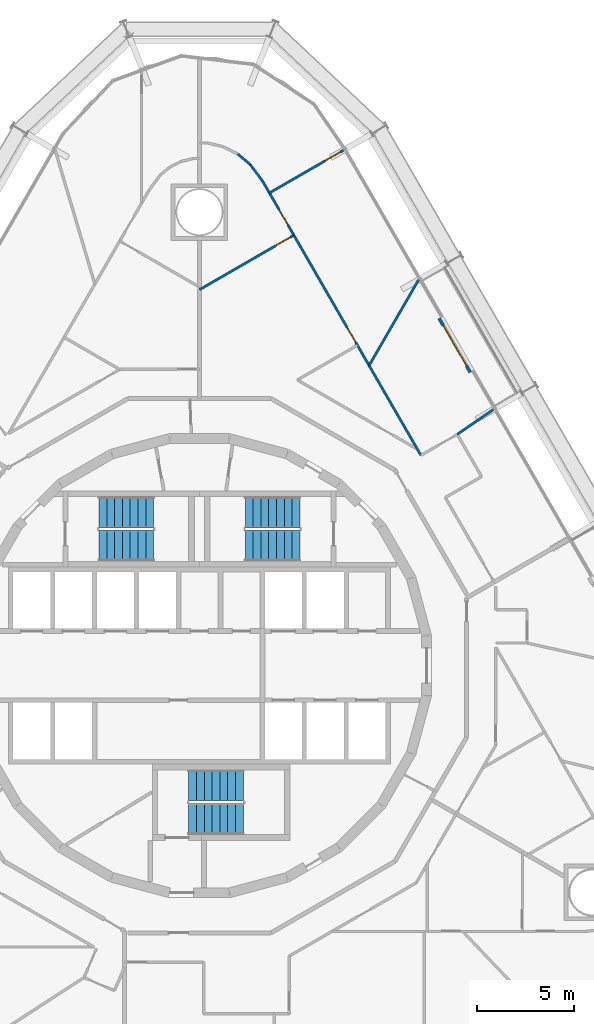
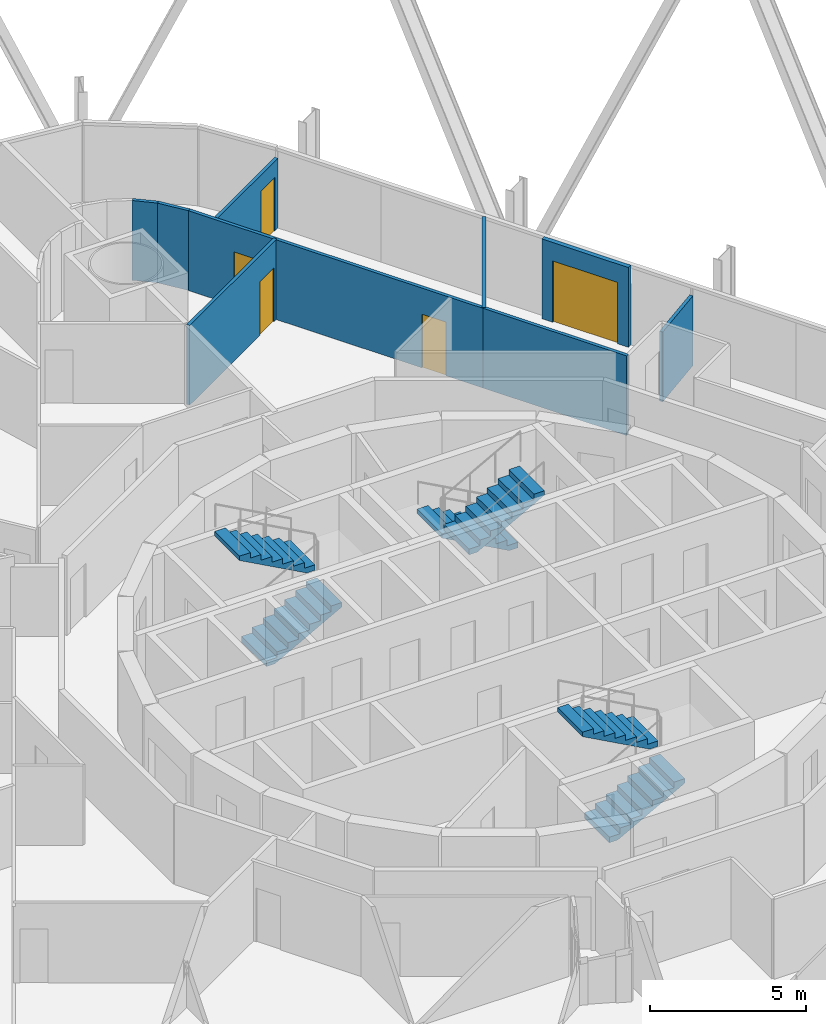
# One storey, part 21 of 22: 9 walls, 6 stair flights, 5 doors, 5 openings, 3 elements without a shape of their own.
"""IFC4 building model written with IfcOpenShell, lengths in metres."""

from ifc_helpers import new_model, si_unit, direction, frame, frame_2d, origin, place, context, subcontext, project, spatial, polyline, rectangle, outline, extrude, material, layer, layer_set, type_object, element, fill, aggregate, save


model = new_model("IFC4")

# Units and contexts
model_context = context("Model", 3, precision=1e-05, world=origin(), true_north=direction((0.0, 1.0)))
body_context = subcontext(model_context, "Body", "Model", "MODEL_VIEW")
ifc_project = project(units=[si_unit("LENGTHUNIT", "METRE"), si_unit("AREAUNIT", "SQUARE_METRE"), si_unit("VOLUMEUNIT", "CUBIC_METRE"), si_unit("PLANEANGLEUNIT", "RADIAN"), si_unit("MASSUNIT", "GRAM", prefix="KILO")], contexts=[model_context])

# Site, building, storey
site_placement = place(None, origin())
site = spatial("IfcSite", under=ifc_project, at=site_placement, CompositionType="ELEMENT")
building_placement = place(site_placement, origin())
building = spatial("IfcBuilding", under=site, at=building_placement, Name="Spindle Arch Residences", CompositionType="ELEMENT")
storey_placement = place(building_placement, frame((0.0, 0.0, 52.39990234375)))
storey = spatial("IfcBuildingStorey", under=building, at=storey_placement, Name="L11", CompositionType="ELEMENT", Elevation=52.39990234375)

# Wall, openings, doors
ifc_material_1 = material(Name="Plasterboard on steel studs", Category="steel")
ifc_layer_1 = layer(ifc_material_1, 0.1201171875)
ifc_layer_set_1 = layer_set([ifc_layer_1], Name="Flat partition 120")
wall_type_1 = type_object("IfcWallType", Name="Flat partition 120", PredefinedType="PARTITIONING", material=ifc_layer_set_1)
wall_1_placement = place(storey_placement, frame((8.69970703125, 15.3916015625, 0.0), z_axis=(0.0, 0.0, 1.0), x_axis=(-0.500002742713, 0.866023820272, 0.0)))
wall_1 = element("IfcWall", 1, at=wall_1_placement, inside=storey, type_object=wall_type_1, Name="Flat partition R1B0-W035", PredefinedType="PARTITIONING", context=body_context, shape_type="SweptSolid", body=[
    extrude(rectangle(XDim=10.90771484375, YDim=0.1201171875, at=frame_2d((5.453857421875, 0.0))), origin(), (0.0, 0.0, 1.0), 3.1201171875),
])
opening_1_placement = place(wall_1_placement, frame((1.360107421875, 0.0, 0.0)))
opening_1 = element("IfcOpeningElement", 2, at=opening_1_placement, cuts=wall_1, Name="Opening R1B0-ID03", PredefinedType="OPENING", context=body_context, shape_type="SweptSolid", body=[
    extrude(rectangle(XDim=0.89990234375, YDim=2.10009765625, at=frame_2d((0.449951171875, 1.050048828125))), frame((0.0, 0.070068359375, 0.0), z_axis=(0.0, -1.0, 0.0), x_axis=(1.0, 0.0, 0.0)), (0.0, 0.0, 1.0), 0.14013671875),
])
opening_2_placement = place(wall_1_placement, frame((8.3173828125, 0.0, 0.0)))
opening_2 = element("IfcOpeningElement", 3, at=opening_2_placement, cuts=wall_1, Name="Opening R1B0-ID06", PredefinedType="OPENING", context=body_context, shape_type="SweptSolid", body=[
    extrude(rectangle(XDim=0.89990234375, YDim=2.10009765625, at=frame_2d((0.449951171875, 1.050048828125))), frame((0.0, 0.070068359375, 0.0), z_axis=(0.0, -1.0, 0.0), x_axis=(1.0, 0.0, 0.0)), (0.0, 0.0, 1.0), 0.14013671875),
])
ifc_material_2 = material(Name="Timber door set", Category="wood")
door_type_1 = type_object("IfcDoorType", Name="Room door 900x2100", OperationType="NOTDEFINED", PredefinedType="DOOR", material=ifc_material_2)
door_1_placement = place(opening_1_placement, origin())
door_1 = element("IfcDoor", 4, at=door_1_placement, inside=storey, type_object=door_type_1, Name="Room door R1B0-ID03", OperationType="SINGLE_SWING_RIGHT", OverallHeight=2.10009765625, OverallWidth=0.89990234375, PredefinedType="DOOR", context=body_context, shape_type="SweptSolid", body=[
    extrude(rectangle(XDim=0.89990234375, YDim=2.10009765625, at=frame_2d((0.449951171875, 1.050048828125))), frame((0.0, 0.02490234375, 0.0), z_axis=(0.0, -1.0, 0.0), x_axis=(1.0, 0.0, 0.0)), (0.0, 0.0, 1.0), 0.050048828125),
])
fill(opening_1, door_1)
door_2_placement = place(opening_2_placement, origin())
door_2 = element("IfcDoor", 5, at=door_2_placement, inside=storey, type_object=door_type_1, Name="Room door R1B0-ID06", OperationType="SINGLE_SWING_LEFT", OverallHeight=2.10009765625, OverallWidth=0.89990234375, PredefinedType="DOOR", context=body_context, shape_type="SweptSolid", body=[
    extrude(rectangle(XDim=0.89990234375, YDim=2.10009765625, at=frame_2d((0.449951171875, 1.050048828125))), frame((0.0, 0.02490234375, 0.0), z_axis=(0.0, -1.0, 0.0), x_axis=(1.0, 0.0, 0.0)), (0.0, 0.0, 1.0), 0.050048828125),
])
fill(opening_2, door_2)

# Wall, opening, door
wall_2_placement = place(storey_placement, frame((4.8408203125, 22.0751953125, 0.0), z_axis=(0.0, 0.0, 1.0), x_axis=(-0.866019751484, -0.500009789943, 0.0)))
wall_2 = element("IfcWall", 6, at=wall_2_placement, inside=storey, type_object=wall_type_1, Name="Flat partition R1B0-W036", PredefinedType="PARTITIONING", context=body_context, shape_type="SweptSolid", body=[
    extrude(rectangle(XDim=5.58984375, YDim=0.1201171875, at=frame_2d((2.794921875, 0.0))), origin(), (0.0, 0.0, 1.0), 3.1201171875),
])
opening_3_placement = place(wall_2_placement, frame((0.199951171875, 0.0, 0.0)))
opening_3 = element("IfcOpeningElement", 7, at=opening_3_placement, cuts=wall_2, Name="Opening R1B0-ID04", PredefinedType="OPENING", context=body_context, shape_type="SweptSolid", body=[
    extrude(rectangle(XDim=0.89990234375, YDim=2.10009765625, at=frame_2d((0.449951171875, 1.050048828125))), frame((0.0, 0.070068359375, 0.0), z_axis=(0.0, -1.0, 0.0), x_axis=(1.0, 0.0, 0.0)), (0.0, 0.0, 1.0), 0.14013671875),
])
door_3_placement = place(opening_3_placement, origin())
door_3 = element("IfcDoor", 8, at=door_3_placement, inside=storey, type_object=door_type_1, Name="Room door R1B0-ID04", OperationType="SINGLE_SWING_RIGHT", OverallHeight=2.10009765625, OverallWidth=0.89990234375, PredefinedType="DOOR", context=body_context, shape_type="SweptSolid", body=[
    extrude(rectangle(XDim=0.89990234375, YDim=2.10009765625, at=frame_2d((0.449951171875, 1.050048828125))), frame((0.0, 0.02490234375, 0.0), z_axis=(0.0, -1.0, 0.0), x_axis=(1.0, 0.0, 0.0)), (0.0, 0.0, 1.0), 0.050048828125),
])
fill(opening_3, door_3)

# Walls
wall_3_placement = place(storey_placement, frame((8.69970703125, 15.3916015625, 0.0), z_axis=(0.0, 0.0, 1.0), x_axis=(0.499986106925, -0.866033424806, 0.0)))
element("IfcWall", 9, at=wall_3_placement, inside=storey, type_object=wall_type_1, Name="Flat partition R1B0-W038", PredefinedType="PARTITIONING", context=body_context, shape_type="SweptSolid", body=[
    extrude(rectangle(XDim=5.317138671875, YDim=0.1201171875, at=frame_2d((2.65869140625, 0.0))), origin(), (0.0, 0.0, 1.0), 3.1201171875),
])
wall_4_placement = place(storey_placement, frame((11.239990234375, 19.791748046875, 0.0), z_axis=(0.0, 0.0, 1.0), x_axis=(-0.499978956711, -0.866037552792, 0.0)))
element("IfcWall", 10, at=wall_4_placement, inside=storey, type_object=wall_type_1, Name="Flat partition R1B0-W039", PredefinedType="PARTITIONING", context=body_context, shape_type="SweptSolid", body=[
    extrude(rectangle(XDim=5.080810546875, YDim=0.1201171875, at=frame_2d((2.54052734375, 0.0))), origin(), (0.0, 0.0, 1.0), 3.1201171875),
])
wall_5_placement = place(storey_placement, frame((1.9619140625, 26.24267578125, 0.0), z_axis=(0.0, 0.0, 1.0), x_axis=(0.765849913579, -0.643019369748, 0.0)))
element("IfcWall", 11, at=wall_5_placement, inside=storey, type_object=wall_type_1, Name="Flat partition R1B0-W044", PredefinedType="PARTITIONING", context=body_context, shape_type="SweptSolid", body=[
    extrude(rectangle(XDim=0.828857421875, YDim=0.1201171875, at=frame_2d((0.41455078125, 0.0))), origin(), (0.0, 0.0, 1.0), 3.1201171875),
])
wall_6_placement = place(storey_placement, frame((2.5966796875, 25.709716796875, 0.0), z_axis=(0.0, 0.0, 1.0), x_axis=(0.59722925597, -0.802070580319, 0.0)))
element("IfcWall", 12, at=wall_6_placement, inside=storey, type_object=wall_type_1, Name="Flat partition R1B0-W045", PredefinedType="PARTITIONING", context=body_context, shape_type="SweptSolid", body=[
    extrude(rectangle(XDim=1.0869140625, YDim=0.1201171875, at=frame_2d((0.54345703125, 0.0))), origin(), (0.0, 0.0, 1.0), 3.1201171875),
])
ifc_material_3 = material(Name="Plasterboard on steel studs", Category="steel")
ifc_layer_2 = layer(ifc_material_3, 0.1201171875)
ifc_layer_set_2 = layer_set([ifc_layer_2], Name="Flat partition 120 under beam 2730")
wall_type_2 = type_object("IfcWallType", Name="Flat partition 120 under beam 2730", PredefinedType="PARTITIONING", material=ifc_layer_set_2)
wall_7_placement = place(storey_placement, frame((15.080078125, 13.140380859375, 0.0), z_axis=(0.0, 0.0, 1.0), x_axis=(-0.824041924199, -0.566528822887, 0.0)))
element("IfcWall", 13, at=wall_7_placement, inside=storey, type_object=wall_type_2, Name="Flat partition R1B0-W037", PredefinedType="PARTITIONING", context=body_context, shape_type="SweptSolid", body=[
    extrude(rectangle(XDim=2.25634765625, YDim=0.1201171875, at=frame_2d((1.128173828125, 0.0))), origin(), (0.0, 0.0, 1.0), 2.72998046875),
])

# Wall, opening, door
wall_8_placement = place(storey_placement, frame((7.39990234375, 26.44287109375, 0.0), z_axis=(0.0, 0.0, 1.0), x_axis=(-0.866032203192, -0.499988222896, 0.0)))
wall_8 = element("IfcWall", 14, at=wall_8_placement, inside=storey, type_object=wall_type_2, Name="Flat partition R1B0-W040", PredefinedType="PARTITIONING", context=body_context, shape_type="SweptSolid", body=[
    extrude(rectangle(XDim=4.39990234375, YDim=0.1201171875, at=frame_2d((2.199951171875, 0.0))), origin(), (0.0, 0.0, 1.0), 2.72998046875),
])
opening_4_placement = place(wall_8_placement, frame((0.199951171875, 0.0, 0.0)))
opening_4 = element("IfcOpeningElement", 15, at=opening_4_placement, cuts=wall_8, Name="Opening R1B0-ID05", PredefinedType="OPENING", context=body_context, shape_type="SweptSolid", body=[
    extrude(rectangle(XDim=0.89990234375, YDim=2.10009765625, at=frame_2d((0.449951171875, 1.050048828125))), frame((0.0, 0.070068359375, 0.0), z_axis=(0.0, -1.0, 0.0), x_axis=(1.0, 0.0, 0.0)), (0.0, 0.0, 1.0), 0.14013671875),
])
door_4_placement = place(opening_4_placement, origin())
door_4 = element("IfcDoor", 16, at=door_4_placement, inside=storey, type_object=door_type_1, Name="Room door R1B0-ID05", OperationType="SINGLE_SWING_RIGHT", OverallHeight=2.10009765625, OverallWidth=0.89990234375, PredefinedType="DOOR", context=body_context, shape_type="SweptSolid", body=[
    extrude(rectangle(XDim=0.89990234375, YDim=2.10009765625, at=frame_2d((0.449951171875, 1.050048828125))), frame((0.0, 0.02490234375, 0.0), z_axis=(0.0, -1.0, 0.0), x_axis=(1.0, 0.0, 0.0)), (0.0, 0.0, 1.0), 0.050048828125),
])
fill(opening_4, door_4)

ifc_material_4 = material(Name="Non-combustible mineral wool insulated aluminium faced external wall (K0)", Category="aluminium")
ifc_layer_3 = layer(ifc_material_4, 0.159912109375)
ifc_layer_set_3 = layer_set([ifc_layer_3], Name="Insulated external wall panel 160")
wall_type_3 = type_object("IfcWallType", Name="Insulated external wall panel 160", PredefinedType="STANDARD", material=ifc_layer_set_3)
wall_9_placement = place(storey_placement, frame((13.890625, 15.04052734375, 0.0), z_axis=(0.0, 0.0, 1.0), x_axis=(-0.499971222258, 0.866042017984, 0.0)))
wall_9 = element("IfcWall", 17, at=wall_9_placement, inside=storey, type_object=wall_type_3, Name="External wall L11 bay 9", PredefinedType="STANDARD", context=body_context, shape_type="SweptSolid", body=[
    extrude(rectangle(XDim=3.199951171875, YDim=0.159912109375, at=frame_2d((1.60009765625, 0.0))), origin(), (0.0, 0.0, 1.0), 3.1201171875),
])
opening_5_placement = place(wall_9_placement, frame((0.39990234375, 0.0, 0.0)))
opening_5 = element("IfcOpeningElement", 18, at=opening_5_placement, cuts=wall_9, Name="Opening BD09", PredefinedType="OPENING", context=body_context, shape_type="SweptSolid", body=[
    extrude(rectangle(XDim=2.39990234375, YDim=2.39990234375, at=frame_2d((1.199951171875, 1.199951171875))), frame((0.0, 0.08984375, 0.0), z_axis=(0.0, -1.0, 0.0), x_axis=(1.0, 0.0, 0.0)), (0.0, 0.0, 1.0), 0.179931640625),
])
ifc_material_5 = material(Name="Bronze aluminium frame, tinted double glazing", Category="aluminium")
door_type_2 = type_object("IfcDoorType", Name="Sliding glazed balcony door 2400x2400", OperationType="DOUBLE_DOOR_SLIDING", PredefinedType="DOOR", material=ifc_material_5)
door_5_placement = place(opening_5_placement, origin())
door_5 = element("IfcDoor", 19, at=door_5_placement, inside=storey, type_object=door_type_2, Name="Balcony door BD09", OperationType="DOUBLE_DOOR_SLIDING", OverallHeight=2.39990234375, OverallWidth=2.39990234375, PredefinedType="DOOR", context=body_context, shape_type="SweptSolid", body=[
    extrude(rectangle(XDim=2.39990234375, YDim=2.39990234375, at=frame_2d((1.199951171875, 1.199951171875))), frame((0.0, 0.02490234375, 0.0), z_axis=(0.0, -1.0, 0.0), x_axis=(1.0, 0.0, 0.0)), (0.0, 0.0, 1.0), 0.050048828125),
])
fill(opening_5, door_5)

# Stair, stair flights
ifc_material_6 = material(Name="Concrete C50/60", Category="concrete")
stair_type = type_object("IfcStairType", Name="Exit stair 16 risers", PredefinedType="HALF_TURN_STAIR", material=ifc_material_6)
stair_1_placement = place(storey_placement, origin())
stair_1 = element("IfcStair", 20, at=stair_1_placement, inside=storey, type_object=stair_type, Name="L11 Exit stair ST1", PredefinedType="HALF_TURN_STAIR")
ifc_material_7 = material(Name="Concrete C50/60", Category="concrete")
stair_flight_type = type_object("IfcStairFlightType", Name="Exit stair flight", PredefinedType="STRAIGHT", material=ifc_material_7)
stair_flight_1_placement = place(storey_placement, frame((5.14990234375, 7.8701171875, 0.0), z_axis=(0.0, 0.0, 1.0), x_axis=(-1.0, 0.0, 0.0)))
stair_flight_1 = element("IfcStairFlight", 21, at=stair_flight_1_placement, type_object=stair_flight_type, Name="ST1 flight 1", NumberOfRisers=8, NumberOfTreads=7, PredefinedType="STRAIGHT", RiserHeight=0.21875, TreadLength=0.4, context=body_context, shape_type="SweptSolid", body=[
    extrude(outline(polyline([(0.0, 0.0), (0.0, 0.21875), (0.39990234375, 0.21875), (0.39990234375, 0.4375), (0.800048828125, 0.4375), (0.800048828125, 0.65625), (1.199951171875, 0.65625), (1.199951171875, 0.875), (1.60009765625, 0.875), (1.60009765625, 1.09375), (2.0, 1.09375), (2.0, 1.3125), (2.39990234375, 1.3125), (2.39990234375, 1.53125), (2.800048828125, 1.53125), (2.800048828125, 1.75), (2.800048828125, 1.3603515625), (0.3125, 0.0), (0.0, 0.0)])), frame((0.0, 0.800048828125, 0.0), z_axis=(0.0, -1.0, 0.0), x_axis=(1.0, 0.0, 0.0)), (0.0, 0.0, 1.0), 1.60009765625),
])
stair_flight_2_placement = place(storey_placement, frame((2.35009765625, 6.14990234375, 1.75), z_axis=(0.0, 0.0, 1.0), x_axis=(1.0, 0.0, 0.0)))
stair_flight_2 = element("IfcStairFlight", 22, at=stair_flight_2_placement, type_object=stair_flight_type, Name="ST1 flight 2", NumberOfRisers=8, NumberOfTreads=7, PredefinedType="STRAIGHT", RiserHeight=0.21875, TreadLength=0.4, context=body_context, shape_type="SweptSolid", body=[
    extrude(outline(polyline([(0.0, 0.0), (0.0, 0.21875), (0.39990234375, 0.21875), (0.39990234375, 0.4375), (0.800048828125, 0.4375), (0.800048828125, 0.65625), (1.199951171875, 0.65625), (1.199951171875, 0.875), (1.60009765625, 0.875), (1.60009765625, 1.09375), (2.0, 1.09375), (2.0, 1.3125), (2.39990234375, 1.3125), (2.39990234375, 1.53125), (2.800048828125, 1.53125), (2.800048828125, 1.75), (2.800048828125, 1.3603515625), (0.3125, 0.0), (0.0, 0.0)])), frame((0.0, 0.800048828125, 0.0), z_axis=(0.0, -1.0, 0.0), x_axis=(1.0, 0.0, 0.0)), (0.0, 0.0, 1.0), 1.60009765625),
])
aggregate(stair_1, [stair_flight_1, stair_flight_2])

stair_2_placement = place(storey_placement, origin())
stair_2 = element("IfcStair", 23, at=stair_2_placement, inside=storey, type_object=stair_type, Name="L11 Exit stair ST2", PredefinedType="HALF_TURN_STAIR")
stair_flight_3_placement = place(storey_placement, frame((-5.14990234375, 6.14990234375, 0.0), z_axis=(0.0, 0.0, 1.0), x_axis=(1.0, 0.0, 0.0)))
stair_flight_3 = element("IfcStairFlight", 24, at=stair_flight_3_placement, type_object=stair_flight_type, Name="ST2 flight 1", NumberOfRisers=8, NumberOfTreads=7, PredefinedType="STRAIGHT", RiserHeight=0.21875, TreadLength=0.4, context=body_context, shape_type="SweptSolid", body=[
    extrude(outline(polyline([(0.0, 0.0), (0.0, 0.21875), (0.39990234375, 0.21875), (0.39990234375, 0.4375), (0.800048828125, 0.4375), (0.800048828125, 0.65625), (1.199951171875, 0.65625), (1.199951171875, 0.875), (1.60009765625, 0.875), (1.60009765625, 1.09375), (2.0, 1.09375), (2.0, 1.3125), (2.39990234375, 1.3125), (2.39990234375, 1.53125), (2.800048828125, 1.53125), (2.800048828125, 1.75), (2.800048828125, 1.3603515625), (0.3125, 0.0), (0.0, 0.0)])), frame((0.0, 0.800048828125, 0.0), z_axis=(0.0, -1.0, 0.0), x_axis=(1.0, 0.0, 0.0)), (0.0, 0.0, 1.0), 1.60009765625),
])
stair_flight_4_placement = place(storey_placement, frame((-2.35009765625, 7.8701171875, 1.75), z_axis=(0.0, 0.0, 1.0), x_axis=(-1.0, 0.0, 0.0)))
stair_flight_4 = element("IfcStairFlight", 25, at=stair_flight_4_placement, type_object=stair_flight_type, Name="ST2 flight 2", NumberOfRisers=8, NumberOfTreads=7, PredefinedType="STRAIGHT", RiserHeight=0.21875, TreadLength=0.4, context=body_context, shape_type="SweptSolid", body=[
    extrude(outline(polyline([(0.0, 0.0), (0.0, 0.21875), (0.39990234375, 0.21875), (0.39990234375, 0.4375), (0.800048828125, 0.4375), (0.800048828125, 0.65625), (1.199951171875, 0.65625), (1.199951171875, 0.875), (1.60009765625, 0.875), (1.60009765625, 1.09375), (2.0, 1.09375), (2.0, 1.3125), (2.39990234375, 1.3125), (2.39990234375, 1.53125), (2.800048828125, 1.53125), (2.800048828125, 1.75), (2.800048828125, 1.3603515625), (0.3125, 0.0), (0.0, 0.0)])), frame((0.0, 0.800048828125, 0.0), z_axis=(0.0, -1.0, 0.0), x_axis=(1.0, 0.0, 0.0)), (0.0, 0.0, 1.0), 1.60009765625),
])
aggregate(stair_2, [stair_flight_3, stair_flight_4])

stair_3_placement = place(storey_placement, origin())
stair_3 = element("IfcStair", 26, at=stair_3_placement, inside=storey, type_object=stair_type, Name="L11 Exit stair ST3", PredefinedType="HALF_TURN_STAIR")
stair_flight_5_placement = place(storey_placement, frame((-0.550048828125, -7.8701171875, 0.0), z_axis=(0.0, 0.0, 1.0), x_axis=(1.0, 0.0, 0.0)))
stair_flight_5 = element("IfcStairFlight", 27, at=stair_flight_5_placement, type_object=stair_flight_type, Name="ST3 flight 1", NumberOfRisers=8, NumberOfTreads=7, PredefinedType="STRAIGHT", RiserHeight=0.21875, TreadLength=0.4, context=body_context, shape_type="SweptSolid", body=[
    extrude(outline(polyline([(0.0, 0.0), (0.0, 0.21875), (0.39990234375, 0.21875), (0.39990234375, 0.4375), (0.800048828125, 0.4375), (0.800048828125, 0.65625), (1.199951171875, 0.65625), (1.199951171875, 0.875), (1.60009765625, 0.875), (1.60009765625, 1.09375), (2.0, 1.09375), (2.0, 1.3125), (2.39990234375, 1.3125), (2.39990234375, 1.53125), (2.800048828125, 1.53125), (2.800048828125, 1.75), (2.800048828125, 1.3603515625), (0.3125, 0.0), (0.0, 0.0)])), frame((0.0, 0.800048828125, 0.0), z_axis=(0.0, -1.0, 0.0), x_axis=(1.0, 0.0, 0.0)), (0.0, 0.0, 1.0), 1.60009765625),
])
stair_flight_6_placement = place(storey_placement, frame((2.25, -6.14990234375, 1.75), z_axis=(0.0, 0.0, 1.0), x_axis=(-1.0, 0.0, 0.0)))
stair_flight_6 = element("IfcStairFlight", 28, at=stair_flight_6_placement, type_object=stair_flight_type, Name="ST3 flight 2", NumberOfRisers=8, NumberOfTreads=7, PredefinedType="STRAIGHT", RiserHeight=0.21875, TreadLength=0.4, context=body_context, shape_type="SweptSolid", body=[
    extrude(outline(polyline([(0.0, 0.0), (0.0, 0.21875), (0.39990234375, 0.21875), (0.39990234375, 0.4375), (0.800048828125, 0.4375), (0.800048828125, 0.65625), (1.199951171875, 0.65625), (1.199951171875, 0.875), (1.60009765625, 0.875), (1.60009765625, 1.09375), (2.0, 1.09375), (2.0, 1.3125), (2.39990234375, 1.3125), (2.39990234375, 1.53125), (2.800048828125, 1.53125), (2.800048828125, 1.75), (2.800048828125, 1.3603515625), (0.3125, 0.0), (0.0, 0.0)])), frame((0.0, 0.800048828125, 0.0), z_axis=(0.0, -1.0, 0.0), x_axis=(1.0, 0.0, 0.0)), (0.0, 0.0, 1.0), 1.60009765625),
])
aggregate(stair_3, [stair_flight_5, stair_flight_6])

save(model, "model.ifc")
